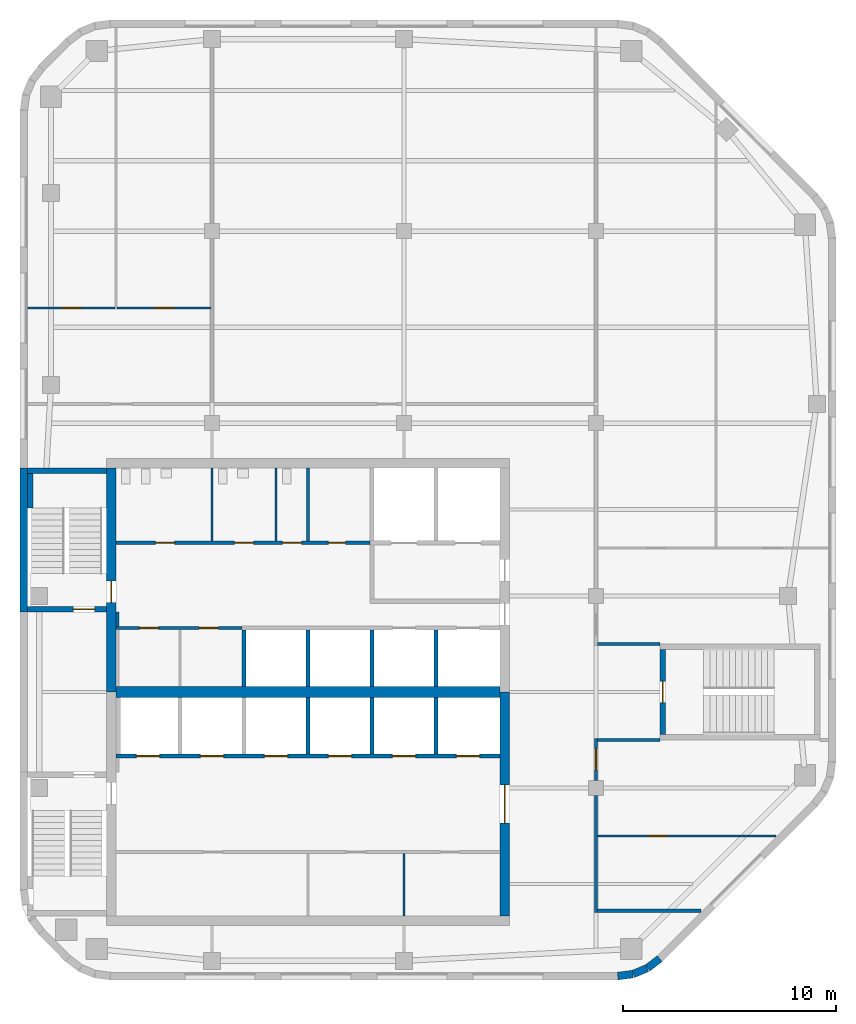
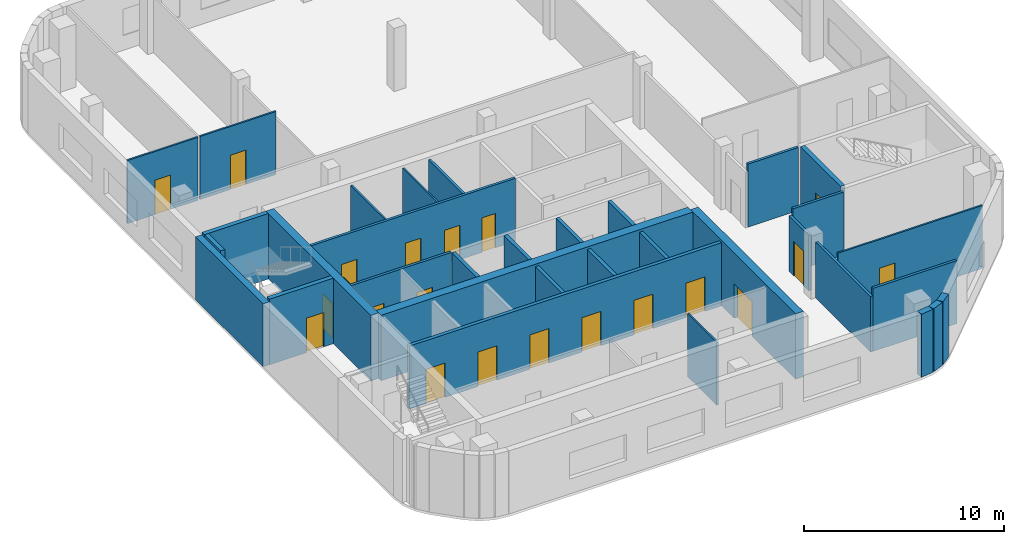
# One storey, part 3 of 7: 34 walls, 20 doors, 20 openings.
"""IFC4 building model written with IfcOpenShell, lengths in metres."""

from ifc_helpers import new_model, si_unit, direction, frame, frame_2d, origin, place, context, subcontext, project, spatial, rectangle, extrude, material, layer, layer_set, type_object, element, fill, save


model = new_model("IFC4")

# Units and contexts
model_context = context("Model", 3, precision=1e-05, world=origin(), true_north=direction((0.0, 1.0)))
body_context = subcontext(model_context, "Body", "Model", "MODEL_VIEW")
ifc_project = project(units=[si_unit("LENGTHUNIT", "METRE"), si_unit("AREAUNIT", "SQUARE_METRE"), si_unit("VOLUMEUNIT", "CUBIC_METRE"), si_unit("PLANEANGLEUNIT", "RADIAN"), si_unit("MASSUNIT", "GRAM", prefix="KILO")], contexts=[model_context])

# Site, building, storey
site_placement = place(None, origin())
site = spatial("IfcSite", under=ifc_project, at=site_placement, CompositionType="ELEMENT")
building_placement = place(site_placement, origin())
building = spatial("IfcBuilding", under=site, at=building_placement, Name="Cinnabar Reach Civic Tower", CompositionType="ELEMENT")
storey_placement = place(building_placement, frame((0.0, 0.0, 271.0)))
storey = spatial("IfcBuildingStorey", under=building, at=storey_placement, Name="L65", CompositionType="ELEMENT", Elevation=271.0)

# Walls
ifc_material_1 = material(Name="Facing brick with insulated backing", Category="masonry")
ifc_layer_1 = layer(ifc_material_1, 0.36)
ifc_layer_set_1 = layer_set([ifc_layer_1], Name="Brick corner wall")
wall_type_1 = type_object("IfcWallType", Name="Brick corner wall", PredefinedType="STANDARD", material=ifc_layer_set_1)
for number, where, z_axis, x_axis, name in (
    (1, (28.0186, 18.183, 0.0), (0.0, 0.0, 1.0), (0.99144092581, 0.13055608231, 0.0), "Brick corner wall"),
    (2, (28.7473, 18.2819, 0.0), (0.0, 0.0, 1.0), (0.923871547278, 0.382702709855, 0.0), "Brick corner wall"),
):
    element("IfcWall", number, at=place(storey_placement, frame(where, z_axis=z_axis, x_axis=x_axis)), inside=storey, type_object=wall_type_1, Name=name, PredefinedType="STANDARD", context=body_context, shape_type="SweptSolid", body=[
        extrude(rectangle(XDim=0.7131, YDim=0.36, at=frame_2d((0.3565, 0.0))), origin(), (0.0, 0.0, 1.0), 3.85),
    ])
wall_1_placement = place(storey_placement, frame((29.4255, 18.566, 0.0), z_axis=(0.0, 0.0, 1.0), x_axis=(0.793321924995, 0.608802368033, 0.0)))
element("IfcWall", 3, at=wall_1_placement, inside=storey, type_object=wall_type_1, Name="Brick corner wall", PredefinedType="STANDARD", context=body_context, shape_type="SweptSolid", body=[
    extrude(rectangle(XDim=0.7132, YDim=0.36, at=frame_2d((0.3566, 0.0))), origin(), (0.0, 0.0, 1.0), 3.85),
])
ifc_layer_2 = layer(ifc_material_1, 0.36)
ifc_layer_set_2 = layer_set([ifc_layer_2], Name="Brick pier and spandrel wall")
wall_type_2 = type_object("IfcWallType", Name="Brick pier and spandrel wall", PredefinedType="STANDARD", material=ifc_layer_set_2)
wall_2_placement = place(storey_placement, frame((0.18, 42.0, 0.0), z_axis=(0.0, 0.0, 1.0), x_axis=(0.0, -1.0, 0.0)))
element("IfcWall", 4, at=wall_2_placement, inside=storey, type_object=wall_type_2, Name="Brick facade wall", PredefinedType="STANDARD", context=body_context, shape_type="SweptSolid", body=[
    extrude(rectangle(XDim=6.75, YDim=0.36, at=frame_2d((3.375, 0.0))), origin(), (0.0, 0.0, 1.0), 3.85),
])

# Wall, opening, door
ifc_material_2 = material(Name="Concrete C60", Category="concrete")
ifc_layer_3 = layer(ifc_material_2, 0.45)
ifc_layer_set_3 = layer_set([ifc_layer_3], Name="Core wall 450 EI 180")
wall_type_3 = type_object("IfcWallType", Name="Core wall 450 EI 180", PredefinedType="SOLIDWALL", material=ifc_layer_set_3)
wall_3_placement = place(storey_placement, frame((22.725, 21.0, 0.0), z_axis=(0.0, 0.0, 1.0), x_axis=(0.0, 1.0, 0.0)))
wall_3 = element("IfcWall", 5, at=wall_3_placement, inside=storey, type_object=wall_type_3, Name="Core wall T1 L65 E", PredefinedType="SOLIDWALL", context=body_context, shape_type="SweptSolid", body=[
    extrude(rectangle(XDim=10.5, YDim=0.45, at=frame_2d((5.25, 0.0))), origin(), (0.0, 0.0, 1.0), 4.0),
])
opening_1_placement = place(wall_3_placement, frame((4.35, 0.0, 0.0)))
opening_1 = element("IfcOpeningElement", 6, at=opening_1_placement, cuts=wall_3, Name="Opening D5598", PredefinedType="OPENING", context=body_context, shape_type="SweptSolid", body=[
    extrude(rectangle(XDim=1.8, YDim=2.1, at=frame_2d((0.9, 1.05))), frame((0.0, 0.235, 0.0), z_axis=(0.0, -1.0, 0.0), x_axis=(1.0, 0.0, 0.0)), (0.0, 0.0, 1.0), 0.47),
])
ifc_material_3 = material(Name="Timber door leaf in steel frame", Category="steel")
door_type_1 = type_object("IfcDoorType", Name="Double swing door 1800 x 2100 T1", OperationType="DOUBLE_DOOR_DOUBLE_SWING", PredefinedType="DOOR", material=ifc_material_3)
door_1_placement = place(opening_1_placement, origin())
door_1 = element("IfcDoor", 7, at=door_1_placement, inside=storey, type_object=door_type_1, Name="Door D5598", OperationType="DOUBLE_DOOR_DOUBLE_SWING", OverallHeight=2.1, OverallWidth=1.8, PredefinedType="DOOR", context=body_context, shape_type="SweptSolid", body=[
    extrude(rectangle(XDim=1.8, YDim=2.1, at=frame_2d((0.9, 1.05))), frame((0.0, 0.025, 0.0), z_axis=(0.0, -1.0, 0.0), x_axis=(1.0, 0.0, 0.0)), (0.0, 0.0, 1.0), 0.05),
])
fill(opening_1, door_1)

wall_4_placement = place(storey_placement, frame((4.275, 42.0, 0.0), z_axis=(0.0, 0.0, 1.0), x_axis=(0.0, -1.0, 0.0)))
wall_4 = element("IfcWall", 8, at=wall_4_placement, inside=storey, type_object=wall_type_3, Name="Core wall T1 L65 W", PredefinedType="SOLIDWALL", context=body_context, shape_type="SweptSolid", body=[
    extrude(rectangle(XDim=10.5, YDim=0.45, at=frame_2d((5.25, 0.0))), origin(), (0.0, 0.0, 1.0), 4.0),
])
opening_2_placement = place(wall_4_placement, frame((5.3, 0.0, 0.0)))
opening_2 = element("IfcOpeningElement", 9, at=opening_2_placement, cuts=wall_4, Name="Opening D5586", PredefinedType="OPENING", context=body_context, shape_type="SweptSolid", body=[
    extrude(rectangle(XDim=1.0, YDim=2.1, at=frame_2d((0.5, 1.05))), frame((0.0, 0.235, 0.0), z_axis=(0.0, -1.0, 0.0), x_axis=(1.0, 0.0, 0.0)), (0.0, 0.0, 1.0), 0.47),
])
door_type_2 = type_object("IfcDoorType", Name="Stair door 1000 x 2100 T1", OperationType="SINGLE_SWING_LEFT", PredefinedType="DOOR", material=ifc_material_3)
door_2_placement = place(opening_2_placement, frame((1.0, 0.0, 0.0), z_axis=(0.0, 0.0, 1.0), x_axis=(-1.0, 0.0, 0.0)))
door_2 = element("IfcDoor", 10, at=door_2_placement, inside=storey, type_object=door_type_2, Name="Door D5586", OperationType="SINGLE_SWING_LEFT", OverallHeight=2.1, OverallWidth=1.0, PredefinedType="DOOR", context=body_context, shape_type="SweptSolid", body=[
    extrude(rectangle(XDim=1.0, YDim=2.1, at=frame_2d((0.5, 1.05))), frame((0.0, 0.025, 0.0), z_axis=(0.0, -1.0, 0.0), x_axis=(1.0, 0.0, 0.0)), (0.0, 0.0, 1.0), 0.05),
])
fill(opening_2, door_2)

# Wall
ifc_layer_4 = layer(ifc_material_2, 0.5)
ifc_layer_set_4 = layer_set([ifc_layer_4], Name="Core wall 500 EI 180")
wall_type_4 = type_object("IfcWallType", Name="Core wall 500 EI 180", PredefinedType="SOLIDWALL", material=ifc_layer_set_4)
wall_5_placement = place(storey_placement, frame((4.5, 31.5, 0.0), z_axis=(0.0, 0.0, 1.0), x_axis=(1.0, 0.0, 0.0)))
element("IfcWall", 11, at=wall_5_placement, inside=storey, type_object=wall_type_4, Name="Core spine wall T1 L65", PredefinedType="SOLIDWALL", context=body_context, shape_type="SweptSolid", body=[
    extrude(rectangle(XDim=18.0, YDim=0.5, at=frame_2d((9.0, 0.0))), origin(), (0.0, 0.0, 1.0), 4.0),
])

# Wall, openings, doors
ifc_material_4 = material(Name="Gypsum board on steel studs, double layer", Category="steel")
ifc_layer_5 = layer(ifc_material_4, 0.15)
ifc_layer_set_5 = layer_set([ifc_layer_5], Name="Corridor wall 150 T1")
wall_type_5 = type_object("IfcWallType", Name="Corridor wall 150 T1", PredefinedType="PARTITIONING", material=ifc_layer_set_5)
wall_6_placement = place(storey_placement, frame((4.5, 38.5, 0.0), z_axis=(0.0, 0.0, 1.0), x_axis=(1.0, 0.0, 0.0)))
wall_6 = element("IfcWall", 12, at=wall_6_placement, inside=storey, type_object=wall_type_5, Name="Corridor wall 20", PredefinedType="PARTITIONING", context=body_context, shape_type="SweptSolid", body=[
    extrude(rectangle(XDim=11.9, YDim=0.15, at=frame_2d((5.95, 0.0))), origin(), (0.0, 0.0, 1.0), 3.85),
])
opening_3_placement = place(wall_6_placement, frame((1.85, 0.0, 0.0)))
opening_3 = element("IfcOpeningElement", 13, at=opening_3_placement, cuts=wall_6, Name="Opening D5607", PredefinedType="OPENING", context=body_context, shape_type="SweptSolid", body=[
    extrude(rectangle(XDim=0.9, YDim=2.1, at=frame_2d((0.45, 1.05))), frame((0.0, 0.085, 0.0), z_axis=(0.0, -1.0, 0.0), x_axis=(1.0, 0.0, 0.0)), (0.0, 0.0, 1.0), 0.17),
])
opening_4_placement = place(wall_6_placement, frame((5.55, 0.0, 0.0)))
opening_4 = element("IfcOpeningElement", 14, at=opening_4_placement, cuts=wall_6, Name="Opening D5608", PredefinedType="OPENING", context=body_context, shape_type="SweptSolid", body=[
    extrude(rectangle(XDim=0.9, YDim=2.1, at=frame_2d((0.45, 1.05))), frame((0.0, 0.085, 0.0), z_axis=(0.0, -1.0, 0.0), x_axis=(1.0, 0.0, 0.0)), (0.0, 0.0, 1.0), 0.17),
])
opening_5_placement = place(wall_6_placement, frame((7.8, 0.0, 0.0)))
opening_5 = element("IfcOpeningElement", 15, at=opening_5_placement, cuts=wall_6, Name="Opening D5609", PredefinedType="OPENING", context=body_context, shape_type="SweptSolid", body=[
    extrude(rectangle(XDim=0.9, YDim=2.1, at=frame_2d((0.45, 1.05))), frame((0.0, 0.085, 0.0), z_axis=(0.0, -1.0, 0.0), x_axis=(1.0, 0.0, 0.0)), (0.0, 0.0, 1.0), 0.17),
])
opening_6_placement = place(wall_6_placement, frame((9.95, 0.0, 0.0)))
opening_6 = element("IfcOpeningElement", 16, at=opening_6_placement, cuts=wall_6, Name="Opening D5610", PredefinedType="OPENING", context=body_context, shape_type="SweptSolid", body=[
    extrude(rectangle(XDim=0.8, YDim=2.1, at=frame_2d((0.4, 1.05))), frame((0.0, 0.085, 0.0), z_axis=(0.0, -1.0, 0.0), x_axis=(1.0, 0.0, 0.0)), (0.0, 0.0, 1.0), 0.17),
])
door_type_3 = type_object("IfcDoorType", Name="Riser access door 800 x 2100 T1", OperationType="SINGLE_SWING_LEFT", PredefinedType="DOOR", material=ifc_material_3)
door_3_placement = place(opening_6_placement, origin())
door_3 = element("IfcDoor", 17, at=door_3_placement, inside=storey, type_object=door_type_3, Name="Door D5610", OperationType="SINGLE_SWING_RIGHT", OverallHeight=2.1, OverallWidth=0.8, PredefinedType="DOOR", context=body_context, shape_type="SweptSolid", body=[
    extrude(rectangle(XDim=0.8, YDim=2.1, at=frame_2d((0.4, 1.05))), frame((0.0, 0.025, 0.0), z_axis=(0.0, -1.0, 0.0), x_axis=(1.0, 0.0, 0.0)), (0.0, 0.0, 1.0), 0.05),
])
fill(opening_6, door_3)
door_type_4 = type_object("IfcDoorType", Name="Single swing door 900 x 2100 corridor T1", OperationType="SINGLE_SWING_LEFT", PredefinedType="DOOR", material=ifc_material_3)
door_4_placement = place(opening_3_placement, origin())
door_4 = element("IfcDoor", 18, at=door_4_placement, inside=storey, type_object=door_type_4, Name="Door D5607", OperationType="SINGLE_SWING_LEFT", OverallHeight=2.1, OverallWidth=0.9, PredefinedType="DOOR", context=body_context, shape_type="SweptSolid", body=[
    extrude(rectangle(XDim=0.9, YDim=2.1, at=frame_2d((0.45, 1.05))), frame((0.0, 0.025, 0.0), z_axis=(0.0, -1.0, 0.0), x_axis=(1.0, 0.0, 0.0)), (0.0, 0.0, 1.0), 0.05),
])
fill(opening_3, door_4)
door_5_placement = place(opening_4_placement, origin())
door_5 = element("IfcDoor", 19, at=door_5_placement, inside=storey, type_object=door_type_4, Name="Door D5608", OperationType="SINGLE_SWING_RIGHT", OverallHeight=2.1, OverallWidth=0.9, PredefinedType="DOOR", context=body_context, shape_type="SweptSolid", body=[
    extrude(rectangle(XDim=0.9, YDim=2.1, at=frame_2d((0.45, 1.05))), frame((0.0, 0.025, 0.0), z_axis=(0.0, -1.0, 0.0), x_axis=(1.0, 0.0, 0.0)), (0.0, 0.0, 1.0), 0.05),
])
fill(opening_4, door_5)
door_6_placement = place(opening_5_placement, origin())
door_6 = element("IfcDoor", 20, at=door_6_placement, inside=storey, type_object=door_type_4, Name="Door D5609", OperationType="SINGLE_SWING_RIGHT", OverallHeight=2.1, OverallWidth=0.9, PredefinedType="DOOR", context=body_context, shape_type="SweptSolid", body=[
    extrude(rectangle(XDim=0.9, YDim=2.1, at=frame_2d((0.45, 1.05))), frame((0.0, 0.025, 0.0), z_axis=(0.0, -1.0, 0.0), x_axis=(1.0, 0.0, 0.0)), (0.0, 0.0, 1.0), 0.05),
])
fill(opening_5, door_6)

# Wall
wall_7_placement = place(storey_placement, frame((27.0, 21.175, 0.0), z_axis=(0.0, 0.0, 1.0), x_axis=(0.0, 1.0, 0.0)))
element("IfcWall", 21, at=wall_7_placement, inside=storey, type_object=wall_type_5, Name="Corridor wall 24", PredefinedType="PARTITIONING", context=body_context, shape_type="SweptSolid", body=[
    extrude(rectangle(XDim=5.475, YDim=0.15, at=frame_2d((2.7375, 0.0))), origin(), (0.0, 0.0, 1.0), 3.4),
])

# Wall, opening, door
wall_8_placement = place(storey_placement, frame((27.0, 27.35, 0.0), z_axis=(0.0, 0.0, 1.0), x_axis=(0.0, 1.0, 0.0)))
wall_8 = element("IfcWall", 22, at=wall_8_placement, inside=storey, type_object=wall_type_5, Name="Corridor wall 25", PredefinedType="PARTITIONING", context=body_context, shape_type="SweptSolid", body=[
    extrude(rectangle(XDim=1.975, YDim=0.15, at=frame_2d((0.9875, 0.0))), origin(), (0.0, 0.0, 1.0), 3.4),
])
opening_7_placement = place(wall_8_placement, frame((0.5, 0.0, 0.0)))
opening_7 = element("IfcOpeningElement", 23, at=opening_7_placement, cuts=wall_8, Name="Opening D5614", PredefinedType="OPENING", context=body_context, shape_type="SweptSolid", body=[
    extrude(rectangle(XDim=1.0, YDim=2.1, at=frame_2d((0.5, 1.05))), frame((0.0, 0.085, 0.0), z_axis=(0.0, -1.0, 0.0), x_axis=(1.0, 0.0, 0.0)), (0.0, 0.0, 1.0), 0.17),
])
door_type_5 = type_object("IfcDoorType", Name="Tenancy entrance door 1000 x 2100 T1", OperationType="SINGLE_SWING_LEFT", PredefinedType="DOOR", material=ifc_material_3)
door_7_placement = place(opening_7_placement, frame((1.0, 0.0, 0.0), z_axis=(0.0, 0.0, 1.0), x_axis=(-1.0, 0.0, 0.0)))
door_7 = element("IfcDoor", 24, at=door_7_placement, inside=storey, type_object=door_type_5, Name="Door D5614", OperationType="SINGLE_SWING_LEFT", OverallHeight=2.1, OverallWidth=1.0, PredefinedType="DOOR", context=body_context, shape_type="SweptSolid", body=[
    extrude(rectangle(XDim=1.0, YDim=2.1, at=frame_2d((0.5, 1.05))), frame((0.0, 0.025, 0.0), z_axis=(0.0, -1.0, 0.0), x_axis=(1.0, 0.0, 0.0)), (0.0, 0.0, 1.0), 0.05),
])
fill(opening_7, door_7)

# Wall, openings, doors
wall_9_placement = place(storey_placement, frame((4.5, 34.5, 0.0), z_axis=(0.0, 0.0, 1.0), x_axis=(1.0, 0.0, 0.0)))
wall_9 = element("IfcWall", 25, at=wall_9_placement, inside=storey, type_object=wall_type_5, Name="Corridor wall 26", PredefinedType="PARTITIONING", context=body_context, shape_type="SweptSolid", body=[
    extrude(rectangle(XDim=5.9, YDim=0.15, at=frame_2d((2.95, 0.0))), origin(), (0.0, 0.0, 1.0), 3.85),
])
opening_8_placement = place(wall_9_placement, frame((1.1, 0.0, 0.0)))
opening_8 = element("IfcOpeningElement", 26, at=opening_8_placement, cuts=wall_9, Name="Opening D5605", PredefinedType="OPENING", context=body_context, shape_type="SweptSolid", body=[
    extrude(rectangle(XDim=0.9, YDim=2.1, at=frame_2d((0.45, 1.05))), frame((0.0, 0.085, 0.0), z_axis=(0.0, -1.0, 0.0), x_axis=(1.0, 0.0, 0.0)), (0.0, 0.0, 1.0), 0.17),
])
opening_9_placement = place(wall_9_placement, frame((3.9, 0.0, 0.0)))
opening_9 = element("IfcOpeningElement", 27, at=opening_9_placement, cuts=wall_9, Name="Opening D5606", PredefinedType="OPENING", context=body_context, shape_type="SweptSolid", body=[
    extrude(rectangle(XDim=0.9, YDim=2.1, at=frame_2d((0.45, 1.05))), frame((0.0, 0.085, 0.0), z_axis=(0.0, -1.0, 0.0), x_axis=(1.0, 0.0, 0.0)), (0.0, 0.0, 1.0), 0.17),
])
door_8_placement = place(opening_8_placement, frame((0.9, 0.0, 0.0), z_axis=(0.0, 0.0, 1.0), x_axis=(-1.0, 0.0, 0.0)))
door_8 = element("IfcDoor", 28, at=door_8_placement, inside=storey, type_object=door_type_4, Name="Door D5605", OperationType="SINGLE_SWING_RIGHT", OverallHeight=2.1, OverallWidth=0.9, PredefinedType="DOOR", context=body_context, shape_type="SweptSolid", body=[
    extrude(rectangle(XDim=0.9, YDim=2.1, at=frame_2d((0.45, 1.05))), frame((0.0, 0.025, 0.0), z_axis=(0.0, -1.0, 0.0), x_axis=(1.0, 0.0, 0.0)), (0.0, 0.0, 1.0), 0.05),
])
fill(opening_8, door_8)
door_9_placement = place(opening_9_placement, frame((0.9, 0.0, 0.0), z_axis=(0.0, 0.0, 1.0), x_axis=(-1.0, 0.0, 0.0)))
door_9 = element("IfcDoor", 29, at=door_9_placement, inside=storey, type_object=door_type_4, Name="Door D5606", OperationType="SINGLE_SWING_LEFT", OverallHeight=2.1, OverallWidth=0.9, PredefinedType="DOOR", context=body_context, shape_type="SweptSolid", body=[
    extrude(rectangle(XDim=0.9, YDim=2.1, at=frame_2d((0.45, 1.05))), frame((0.0, 0.025, 0.0), z_axis=(0.0, -1.0, 0.0), x_axis=(1.0, 0.0, 0.0)), (0.0, 0.0, 1.0), 0.05),
])
fill(opening_9, door_9)

# Walls
wall_10_placement = place(storey_placement, frame((27.075, 21.25, 0.0), z_axis=(0.0, 0.0, 1.0), x_axis=(1.0, 0.0, 0.0)))
element("IfcWall", 30, at=wall_10_placement, inside=storey, type_object=wall_type_5, Name="Corridor wall 27", PredefinedType="PARTITIONING", context=body_context, shape_type="SweptSolid", body=[
    extrude(rectangle(XDim=4.841, YDim=0.15, at=frame_2d((2.4205, 0.0))), origin(), (0.0, 0.0, 1.0), 3.85),
])
wall_11_placement = place(storey_placement, frame((4.575, 34.575, 0.0), z_axis=(0.0, 0.0, 1.0), x_axis=(0.0, 1.0, 0.0)))
element("IfcWall", 31, at=wall_11_placement, inside=storey, type_object=wall_type_5, Name="Corridor wall 28", PredefinedType="PARTITIONING", context=body_context, shape_type="SweptSolid", body=[
    extrude(rectangle(XDim=0.675, YDim=0.15, at=frame_2d((0.3375, 0.0))), origin(), (0.0, 0.0, 1.0), 3.85),
])
for number, where, z_axis, x_axis, name in (
    (32, (27.075, 29.25, 0.0), (0.0, 0.0, 1.0), (1.0, 0.0, 0.0), "Corridor wall 30"),
    (33, (27.075, 33.75, 0.0), (0.0, 0.0, 1.0), (1.0, 0.0, 0.0), "Corridor wall 31"),
):
    element("IfcWall", number, at=place(storey_placement, frame(where, z_axis=z_axis, x_axis=x_axis)), inside=storey, type_object=wall_type_5, Name=name, PredefinedType="PARTITIONING", context=body_context, shape_type="SweptSolid", body=[
        extrude(rectangle(XDim=2.925, YDim=0.15, at=frame_2d((1.4625, 0.0))), origin(), (0.0, 0.0, 1.0), 3.85),
    ])

# Wall, openings, doors
ifc_material_5 = material(Name="Blockwork", Category="masonry")
ifc_layer_6 = layer(ifc_material_5, 0.2)
ifc_layer_set_6 = layer_set([ifc_layer_6], Name="Lift shaft wall 200 T1")
wall_type_6 = type_object("IfcWallType", Name="Lift shaft wall 200 T1", PredefinedType="PARTITIONING", material=ifc_layer_set_6)
wall_12_placement = place(storey_placement, frame((4.5, 28.5, 0.0), z_axis=(0.0, 0.0, 1.0), x_axis=(1.0, 0.0, 0.0)))
wall_12 = element("IfcWall", 34, at=wall_12_placement, inside=storey, type_object=wall_type_6, Name="Lift shaft wall 4", PredefinedType="PARTITIONING", context=body_context, shape_type="SweptSolid", body=[
    extrude(rectangle(XDim=18.0, YDim=0.2, at=frame_2d((9.0, 0.0))), origin(), (0.0, 0.0, 1.0), 3.85),
])
opening_10_placement = place(wall_12_placement, frame((0.95, 0.0, 0.0)))
opening_10 = element("IfcOpeningElement", 35, at=opening_10_placement, cuts=wall_12, Name="Opening D5588", PredefinedType="OPENING", context=body_context, shape_type="SweptSolid", body=[
    extrude(rectangle(XDim=1.1, YDim=2.1, at=frame_2d((0.55, 1.05))), frame((0.0, 0.11, 0.0), z_axis=(0.0, -1.0, 0.0), x_axis=(1.0, 0.0, 0.0)), (0.0, 0.0, 1.0), 0.22),
])
opening_11_placement = place(wall_12_placement, frame((3.95, 0.0, 0.0)))
opening_11 = element("IfcOpeningElement", 36, at=opening_11_placement, cuts=wall_12, Name="Opening D5589", PredefinedType="OPENING", context=body_context, shape_type="SweptSolid", body=[
    extrude(rectangle(XDim=1.1, YDim=2.1, at=frame_2d((0.55, 1.05))), frame((0.0, 0.11, 0.0), z_axis=(0.0, -1.0, 0.0), x_axis=(1.0, 0.0, 0.0)), (0.0, 0.0, 1.0), 0.22),
])
opening_12_placement = place(wall_12_placement, frame((6.95, 0.0, 0.0)))
opening_12 = element("IfcOpeningElement", 37, at=opening_12_placement, cuts=wall_12, Name="Opening D5590", PredefinedType="OPENING", context=body_context, shape_type="SweptSolid", body=[
    extrude(rectangle(XDim=1.1, YDim=2.1, at=frame_2d((0.55, 1.05))), frame((0.0, 0.11, 0.0), z_axis=(0.0, -1.0, 0.0), x_axis=(1.0, 0.0, 0.0)), (0.0, 0.0, 1.0), 0.22),
])
opening_13_placement = place(wall_12_placement, frame((9.95, 0.0, 0.0)))
opening_13 = element("IfcOpeningElement", 38, at=opening_13_placement, cuts=wall_12, Name="Opening D5591", PredefinedType="OPENING", context=body_context, shape_type="SweptSolid", body=[
    extrude(rectangle(XDim=1.1, YDim=2.1, at=frame_2d((0.55, 1.05))), frame((0.0, 0.11, 0.0), z_axis=(0.0, -1.0, 0.0), x_axis=(1.0, 0.0, 0.0)), (0.0, 0.0, 1.0), 0.22),
])
opening_14_placement = place(wall_12_placement, frame((12.95, 0.0, 0.0)))
opening_14 = element("IfcOpeningElement", 39, at=opening_14_placement, cuts=wall_12, Name="Opening D5592", PredefinedType="OPENING", context=body_context, shape_type="SweptSolid", body=[
    extrude(rectangle(XDim=1.1, YDim=2.1, at=frame_2d((0.55, 1.05))), frame((0.0, 0.11, 0.0), z_axis=(0.0, -1.0, 0.0), x_axis=(1.0, 0.0, 0.0)), (0.0, 0.0, 1.0), 0.22),
])
opening_15_placement = place(wall_12_placement, frame((15.95, 0.0, 0.0)))
opening_15 = element("IfcOpeningElement", 40, at=opening_15_placement, cuts=wall_12, Name="Opening D5593", PredefinedType="OPENING", context=body_context, shape_type="SweptSolid", body=[
    extrude(rectangle(XDim=1.1, YDim=2.1, at=frame_2d((0.55, 1.05))), frame((0.0, 0.11, 0.0), z_axis=(0.0, -1.0, 0.0), x_axis=(1.0, 0.0, 0.0)), (0.0, 0.0, 1.0), 0.22),
])
ifc_material_6 = material(Name="Stainless steel sliding door", Category="steel")
door_type_6 = type_object("IfcDoorType", Name="Lift landing door 1100 x 2100 T1", OperationType="SLIDING_TO_LEFT", PredefinedType="DOOR", material=ifc_material_6)
door_10_placement = place(opening_10_placement, origin())
door_10 = element("IfcDoor", 41, at=door_10_placement, inside=storey, type_object=door_type_6, Name="Lift landing door HR1 L65", OperationType="SLIDING_TO_LEFT", OverallHeight=2.1, OverallWidth=1.1, PredefinedType="DOOR", context=body_context, shape_type="SweptSolid", body=[
    extrude(rectangle(XDim=1.1, YDim=2.1, at=frame_2d((0.55, 1.05))), frame((0.0, 0.025, 0.0), z_axis=(0.0, -1.0, 0.0), x_axis=(1.0, 0.0, 0.0)), (0.0, 0.0, 1.0), 0.05),
])
fill(opening_10, door_10)
door_11_placement = place(opening_11_placement, origin())
door_11 = element("IfcDoor", 42, at=door_11_placement, inside=storey, type_object=door_type_6, Name="Lift landing door HR2 L65", OperationType="SLIDING_TO_LEFT", OverallHeight=2.1, OverallWidth=1.1, PredefinedType="DOOR", context=body_context, shape_type="SweptSolid", body=[
    extrude(rectangle(XDim=1.1, YDim=2.1, at=frame_2d((0.55, 1.05))), frame((0.0, 0.025, 0.0), z_axis=(0.0, -1.0, 0.0), x_axis=(1.0, 0.0, 0.0)), (0.0, 0.0, 1.0), 0.05),
])
fill(opening_11, door_11)
door_12_placement = place(opening_12_placement, origin())
door_12 = element("IfcDoor", 43, at=door_12_placement, inside=storey, type_object=door_type_6, Name="Lift landing door HR3 L65", OperationType="SLIDING_TO_LEFT", OverallHeight=2.1, OverallWidth=1.1, PredefinedType="DOOR", context=body_context, shape_type="SweptSolid", body=[
    extrude(rectangle(XDim=1.1, YDim=2.1, at=frame_2d((0.55, 1.05))), frame((0.0, 0.025, 0.0), z_axis=(0.0, -1.0, 0.0), x_axis=(1.0, 0.0, 0.0)), (0.0, 0.0, 1.0), 0.05),
])
fill(opening_12, door_12)
door_13_placement = place(opening_13_placement, origin())
door_13 = element("IfcDoor", 44, at=door_13_placement, inside=storey, type_object=door_type_6, Name="Lift landing door HR4 L65", OperationType="SLIDING_TO_LEFT", OverallHeight=2.1, OverallWidth=1.1, PredefinedType="DOOR", context=body_context, shape_type="SweptSolid", body=[
    extrude(rectangle(XDim=1.1, YDim=2.1, at=frame_2d((0.55, 1.05))), frame((0.0, 0.025, 0.0), z_axis=(0.0, -1.0, 0.0), x_axis=(1.0, 0.0, 0.0)), (0.0, 0.0, 1.0), 0.05),
])
fill(opening_13, door_13)
door_14_placement = place(opening_14_placement, origin())
door_14 = element("IfcDoor", 45, at=door_14_placement, inside=storey, type_object=door_type_6, Name="Lift landing door HR5 L65", OperationType="SLIDING_TO_LEFT", OverallHeight=2.1, OverallWidth=1.1, PredefinedType="DOOR", context=body_context, shape_type="SweptSolid", body=[
    extrude(rectangle(XDim=1.1, YDim=2.1, at=frame_2d((0.55, 1.05))), frame((0.0, 0.025, 0.0), z_axis=(0.0, -1.0, 0.0), x_axis=(1.0, 0.0, 0.0)), (0.0, 0.0, 1.0), 0.05),
])
fill(opening_14, door_14)
door_15_placement = place(opening_15_placement, origin())
door_15 = element("IfcDoor", 46, at=door_15_placement, inside=storey, type_object=door_type_6, Name="Lift landing door HR6 L65", OperationType="SLIDING_TO_LEFT", OverallHeight=2.1, OverallWidth=1.1, PredefinedType="DOOR", context=body_context, shape_type="SweptSolid", body=[
    extrude(rectangle(XDim=1.1, YDim=2.1, at=frame_2d((0.55, 1.05))), frame((0.0, 0.025, 0.0), z_axis=(0.0, -1.0, 0.0), x_axis=(1.0, 0.0, 0.0)), (0.0, 0.0, 1.0), 0.05),
])
fill(opening_15, door_15)

# Walls
for number, where, z_axis, x_axis, name in (
    (47, (10.5, 31.75, 0.0), (0.0, 0.0, 1.0), (0.0, 1.0, 0.0), "Lift shaft wall 7"),
    (48, (13.5, 28.6, 0.0), (0.0, 0.0, 1.0), (0.0, 1.0, 0.0), "Lift shaft wall 8"),
    (49, (13.5, 31.75, 0.0), (0.0, 0.0, 1.0), (0.0, 1.0, 0.0), "Lift shaft wall 9"),
    (50, (16.5, 28.6, 0.0), (0.0, 0.0, 1.0), (0.0, 1.0, 0.0), "Lift shaft wall 10"),
    (51, (16.5, 31.75, 0.0), (0.0, 0.0, 1.0), (0.0, 1.0, 0.0), "Lift shaft wall 11"),
    (52, (19.5, 28.6, 0.0), (0.0, 0.0, 1.0), (0.0, 1.0, 0.0), "Lift shaft wall 12"),
    (53, (19.5, 31.75, 0.0), (0.0, 0.0, 1.0), (0.0, 1.0, 0.0), "Lift shaft wall 13"),
):
    element("IfcWall", number, at=place(storey_placement, frame(where, z_axis=z_axis, x_axis=x_axis)), inside=storey, type_object=wall_type_6, Name=name, PredefinedType="PARTITIONING", context=body_context, shape_type="SweptSolid", body=[
        extrude(rectangle(XDim=2.65, YDim=0.2, at=frame_2d((1.325, 0.0))), origin(), (0.0, 0.0, 1.0), 3.85),
    ])

# Wall, opening, door
ifc_material_7 = material(Name="Gypsum board on steel studs", Category="steel")
ifc_layer_7 = layer(ifc_material_7, 0.1)
ifc_layer_set_7 = layer_set([ifc_layer_7], Name="Partition wall 100 T1")
wall_type_7 = type_object("IfcWallType", Name="Partition wall 100 T1", PredefinedType="PARTITIONING", material=ifc_layer_set_7)
wall_13_placement = place(storey_placement, frame((4.55, 49.5, 0.0), z_axis=(0.0, 0.0, 1.0), x_axis=(1.0, 0.0, 0.0)))
wall_13 = element("IfcWall", 54, at=wall_13_placement, inside=storey, type_object=wall_type_7, Name="Partition wall 43", PredefinedType="PARTITIONING", context=body_context, shape_type="SweptSolid", body=[
    extrude(rectangle(XDim=4.4, YDim=0.1, at=frame_2d((2.2, 0.0))), origin(), (0.0, 0.0, 1.0), 3.85),
])
opening_16_placement = place(wall_13_placement, frame((1.75, 0.0, 0.0)))
opening_16 = element("IfcOpeningElement", 55, at=opening_16_placement, cuts=wall_13, Name="Opening D5618", PredefinedType="OPENING", context=body_context, shape_type="SweptSolid", body=[
    extrude(rectangle(XDim=0.9, YDim=2.1, at=frame_2d((0.45, 1.05))), frame((0.0, 0.06, 0.0), z_axis=(0.0, -1.0, 0.0), x_axis=(1.0, 0.0, 0.0)), (0.0, 0.0, 1.0), 0.12),
])
door_type_7 = type_object("IfcDoorType", Name="Single swing door 900 x 2100 T1", OperationType="SINGLE_SWING_LEFT", PredefinedType="DOOR", material=ifc_material_3)
door_16_placement = place(opening_16_placement, frame((0.9, 0.0, 0.0), z_axis=(0.0, 0.0, 1.0), x_axis=(-1.0, 0.0, 0.0)))
door_16 = element("IfcDoor", 56, at=door_16_placement, inside=storey, type_object=door_type_7, Name="Door D5618", OperationType="SINGLE_SWING_RIGHT", OverallHeight=2.1, OverallWidth=0.9, PredefinedType="DOOR", context=body_context, shape_type="SweptSolid", body=[
    extrude(rectangle(XDim=0.9, YDim=2.1, at=frame_2d((0.45, 1.05))), frame((0.0, 0.025, 0.0), z_axis=(0.0, -1.0, 0.0), x_axis=(1.0, 0.0, 0.0)), (0.0, 0.0, 1.0), 0.05),
])
fill(opening_16, door_16)

wall_14_placement = place(storey_placement, frame((0.36, 49.5, 0.0), z_axis=(0.0, 0.0, 1.0), x_axis=(1.0, 0.0, 0.0)))
wall_14 = element("IfcWall", 57, at=wall_14_placement, inside=storey, type_object=wall_type_7, Name="Partition wall 44", PredefinedType="PARTITIONING", context=body_context, shape_type="SweptSolid", body=[
    extrude(rectangle(XDim=4.09, YDim=0.1, at=frame_2d((2.045, 0.0))), origin(), (0.0, 0.0, 1.0), 3.85),
])
opening_17_placement = place(wall_14_placement, frame((1.6, 0.0, 0.0)))
opening_17 = element("IfcOpeningElement", 58, at=opening_17_placement, cuts=wall_14, Name="Opening D5617", PredefinedType="OPENING", context=body_context, shape_type="SweptSolid", body=[
    extrude(rectangle(XDim=0.9, YDim=2.1, at=frame_2d((0.45, 1.05))), frame((0.0, 0.06, 0.0), z_axis=(0.0, -1.0, 0.0), x_axis=(1.0, 0.0, 0.0)), (0.0, 0.0, 1.0), 0.12),
])
door_17_placement = place(opening_17_placement, frame((0.9, 0.0, 0.0), z_axis=(0.0, 0.0, 1.0), x_axis=(-1.0, 0.0, 0.0)))
door_17 = element("IfcDoor", 59, at=door_17_placement, inside=storey, type_object=door_type_7, Name="Door D5617", OperationType="SINGLE_SWING_LEFT", OverallHeight=2.1, OverallWidth=0.9, PredefinedType="DOOR", context=body_context, shape_type="SweptSolid", body=[
    extrude(rectangle(XDim=0.9, YDim=2.1, at=frame_2d((0.45, 1.05))), frame((0.0, 0.025, 0.0), z_axis=(0.0, -1.0, 0.0), x_axis=(1.0, 0.0, 0.0)), (0.0, 0.0, 1.0), 0.05),
])
fill(opening_17, door_17)

wall_15_placement = place(storey_placement, frame((27.075, 24.75, 0.0), z_axis=(0.0, 0.0, 1.0), x_axis=(1.0, 0.0, 0.0)))
wall_15 = element("IfcWall", 60, at=wall_15_placement, inside=storey, type_object=wall_type_7, Name="Partition wall 45", PredefinedType="PARTITIONING", context=body_context, shape_type="SweptSolid", body=[
    extrude(rectangle(XDim=8.3659, YDim=0.1, at=frame_2d((4.1829, 0.0))), origin(), (0.0, 0.0, 1.0), 3.85),
])
opening_18_placement = place(wall_15_placement, frame((2.4, 0.0, 0.0)))
opening_18 = element("IfcOpeningElement", 61, at=opening_18_placement, cuts=wall_15, Name="Opening D5615", PredefinedType="OPENING", context=body_context, shape_type="SweptSolid", body=[
    extrude(rectangle(XDim=0.9, YDim=2.1, at=frame_2d((0.45, 1.05))), frame((0.0, 0.06, 0.0), z_axis=(0.0, -1.0, 0.0), x_axis=(1.0, 0.0, 0.0)), (0.0, 0.0, 1.0), 0.12),
])
door_18_placement = place(opening_18_placement, frame((0.9, 0.0, 0.0), z_axis=(0.0, 0.0, 1.0), x_axis=(-1.0, 0.0, 0.0)))
door_18 = element("IfcDoor", 62, at=door_18_placement, inside=storey, type_object=door_type_7, Name="Door D5615", OperationType="SINGLE_SWING_LEFT", OverallHeight=2.1, OverallWidth=0.9, PredefinedType="DOOR", context=body_context, shape_type="SweptSolid", body=[
    extrude(rectangle(XDim=0.9, YDim=2.1, at=frame_2d((0.45, 1.05))), frame((0.0, 0.025, 0.0), z_axis=(0.0, -1.0, 0.0), x_axis=(1.0, 0.0, 0.0)), (0.0, 0.0, 1.0), 0.05),
])
fill(opening_18, door_18)

# Walls
for number, where, z_axis, x_axis, name in (
    (63, (9.0, 38.575, 0.0), (0.0, 0.0, 1.0), (0.0, 1.0, 0.0), "Partition wall 46"),
    (64, (12.0, 38.575, 0.0), (0.0, 0.0, 1.0), (0.0, 1.0, 0.0), "Partition wall 47"),
):
    element("IfcWall", number, at=place(storey_placement, frame(where, z_axis=z_axis, x_axis=x_axis)), inside=storey, type_object=wall_type_7, Name=name, PredefinedType="PARTITIONING", context=body_context, shape_type="SweptSolid", body=[
        extrude(rectangle(XDim=3.425, YDim=0.1, at=frame_2d((1.7125, 0.0))), origin(), (0.0, 0.0, 1.0), 3.85),
    ])
wall_16_placement = place(storey_placement, frame((18.0, 21.0, 0.0), z_axis=(0.0, 0.0, 1.0), x_axis=(0.0, 1.0, 0.0)))
element("IfcWall", 65, at=wall_16_placement, inside=storey, type_object=wall_type_7, Name="Partition wall 50", PredefinedType="PARTITIONING", context=body_context, shape_type="SweptSolid", body=[
    extrude(rectangle(XDim=2.925, YDim=0.1, at=frame_2d((1.4625, 0.0))), origin(), (0.0, 0.0, 1.0), 3.85),
])
ifc_layer_8 = layer(ifc_material_5, 0.15)
ifc_layer_set_8 = layer_set([ifc_layer_8], Name="Riser wall 150 T1")
wall_type_8 = type_object("IfcWallType", Name="Riser wall 150 T1", PredefinedType="PARTITIONING", material=ifc_layer_set_8)
wall_17_placement = place(storey_placement, frame((13.5, 38.575, 0.0), z_axis=(0.0, 0.0, 1.0), x_axis=(0.0, 1.0, 0.0)))
element("IfcWall", 66, at=wall_17_placement, inside=storey, type_object=wall_type_8, Name="Riser wall 33", PredefinedType="PARTITIONING", context=body_context, shape_type="SweptSolid", body=[
    extrude(rectangle(XDim=3.425, YDim=0.15, at=frame_2d((1.7125, 0.0))), origin(), (0.0, 0.0, 1.0), 3.85),
])

# Wall, opening, door
ifc_layer_9 = layer(ifc_material_2, 0.25)
ifc_layer_set_9 = layer_set([ifc_layer_9], Name="Stair shaft wall 250 EI 120")
wall_type_9 = type_object("IfcWallType", Name="Stair shaft wall 250 EI 120", PredefinedType="SOLIDWALL", material=ifc_layer_set_9)
wall_18_placement = place(storey_placement, frame((0.36, 35.375, 0.0), z_axis=(0.0, 0.0, 1.0), x_axis=(1.0, 0.0, 0.0)))
wall_18 = element("IfcWall", 67, at=wall_18_placement, inside=storey, type_object=wall_type_9, Name="Stair shaft wall T1-S2 L65", PredefinedType="SOLIDWALL", context=body_context, shape_type="SweptSolid", body=[
    extrude(rectangle(XDim=3.69, YDim=0.25, at=frame_2d((1.845, 0.0))), origin(), (0.0, 0.0, 1.0), 4.0),
])
opening_19_placement = place(wall_18_placement, frame((2.14, 0.0, 0.0)))
opening_19 = element("IfcOpeningElement", 68, at=opening_19_placement, cuts=wall_18, Name="Opening D5587", PredefinedType="OPENING", context=body_context, shape_type="SweptSolid", body=[
    extrude(rectangle(XDim=1.0, YDim=2.1, at=frame_2d((0.5, 1.05))), frame((0.0, 0.135, 0.0), z_axis=(0.0, -1.0, 0.0), x_axis=(1.0, 0.0, 0.0)), (0.0, 0.0, 1.0), 0.27),
])
door_19_placement = place(opening_19_placement, origin())
door_19 = element("IfcDoor", 69, at=door_19_placement, inside=storey, type_object=door_type_2, Name="Door D5587", OperationType="SINGLE_SWING_RIGHT", OverallHeight=2.1, OverallWidth=1.0, PredefinedType="DOOR", context=body_context, shape_type="SweptSolid", body=[
    extrude(rectangle(XDim=1.0, YDim=2.1, at=frame_2d((0.5, 1.05))), frame((0.0, 0.025, 0.0), z_axis=(0.0, -1.0, 0.0), x_axis=(1.0, 0.0, 0.0)), (0.0, 0.0, 1.0), 0.05),
])
fill(opening_19, door_19)

# Wall
wall_19_placement = place(storey_placement, frame((4.05, 41.875, 0.0), z_axis=(0.0, 0.0, 1.0), x_axis=(-1.0, 0.0, 0.0)))
element("IfcWall", 70, at=wall_19_placement, inside=storey, type_object=wall_type_9, Name="Stair shaft wall T1-S2 L65", PredefinedType="SOLIDWALL", context=body_context, shape_type="SweptSolid", body=[
    extrude(rectangle(XDim=3.69, YDim=0.25, at=frame_2d((1.845, 0.0))), origin(), (0.0, 0.0, 1.0), 4.0),
])

# Wall, opening, door
wall_20_placement = place(storey_placement, frame((30.125, 33.5, 0.0), z_axis=(0.0, 0.0, 1.0), x_axis=(0.0, -1.0, 0.0)))
wall_20 = element("IfcWall", 71, at=wall_20_placement, inside=storey, type_object=wall_type_9, Name="Stair shaft wall T1-S3 L65", PredefinedType="SOLIDWALL", context=body_context, shape_type="SweptSolid", body=[
    extrude(rectangle(XDim=4.0, YDim=0.25, at=frame_2d((2.0, 0.0))), origin(), (0.0, 0.0, 1.0), 4.0),
])
opening_20_placement = place(wall_20_placement, frame((1.5, 0.0, 0.0)))
opening_20 = element("IfcOpeningElement", 72, at=opening_20_placement, cuts=wall_20, Name="Opening D5601", PredefinedType="OPENING", context=body_context, shape_type="SweptSolid", body=[
    extrude(rectangle(XDim=1.0, YDim=2.1, at=frame_2d((0.5, 1.05))), frame((0.0, 0.135, 0.0), z_axis=(0.0, -1.0, 0.0), x_axis=(1.0, 0.0, 0.0)), (0.0, 0.0, 1.0), 0.27),
])
door_20_placement = place(opening_20_placement, origin())
door_20 = element("IfcDoor", 73, at=door_20_placement, inside=storey, type_object=door_type_2, Name="Door D5601", OperationType="SINGLE_SWING_RIGHT", OverallHeight=2.1, OverallWidth=1.0, PredefinedType="DOOR", context=body_context, shape_type="SweptSolid", body=[
    extrude(rectangle(XDim=1.0, YDim=2.1, at=frame_2d((0.5, 1.05))), frame((0.0, 0.025, 0.0), z_axis=(0.0, -1.0, 0.0), x_axis=(1.0, 0.0, 0.0)), (0.0, 0.0, 1.0), 0.05),
])
fill(opening_20, door_20)

# Wall
ifc_material_8 = material(Name="Concrete C40/50", Category="concrete")
ifc_layer_10 = layer(ifc_material_8, 0.24)
ifc_layer_set_10 = layer_set([ifc_layer_10], Name="T1 landing bearer wall 240")
wall_type_10 = type_object("IfcWallType", Name="T1 landing bearer wall 240", PredefinedType="STANDARD", material=ifc_layer_set_10)
wall_21_placement = place(storey_placement, frame((0.48, 40.13, 0.0), z_axis=(0.0, 0.0, 1.0), x_axis=(0.0, 1.0, 0.0)))
element("IfcWall", 74, at=wall_21_placement, inside=storey, type_object=wall_type_10, Name="T1-S2 landing bearer wall", PredefinedType="STANDARD", context=body_context, shape_type="SweptSolid", body=[
    extrude(rectangle(XDim=1.62, YDim=0.24, at=frame_2d((0.81, 0.0))), origin(), (0.0, 0.0, 1.0), 4.0),
])

save(model, "model.ifc")
